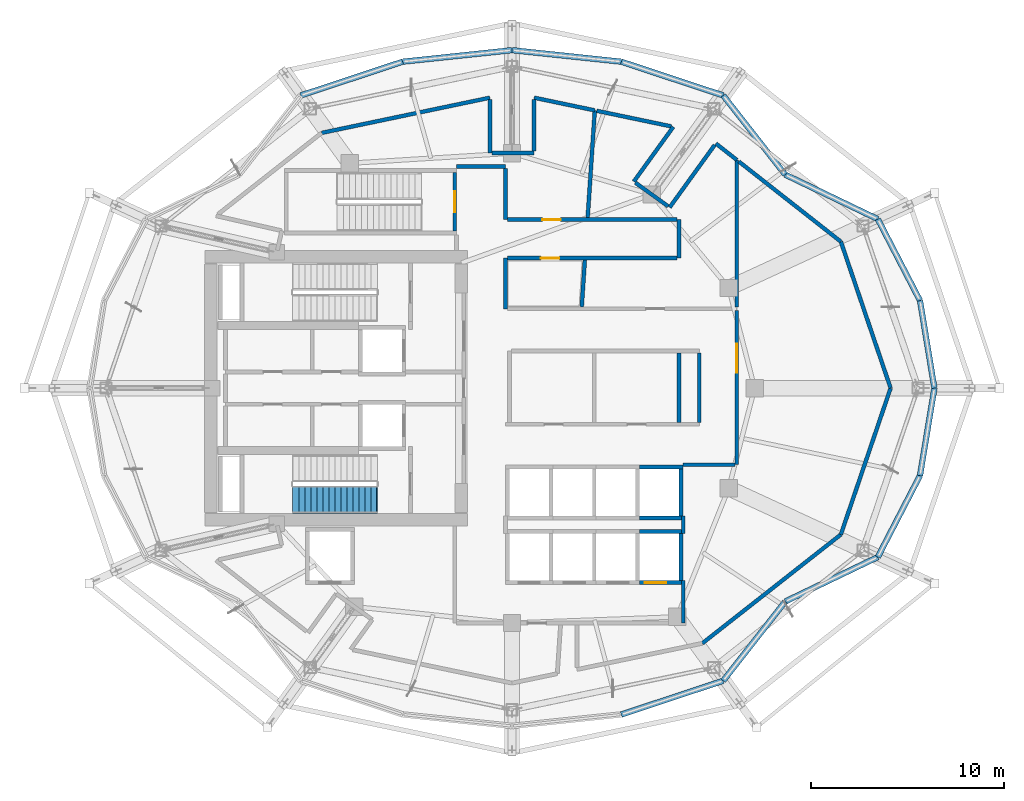
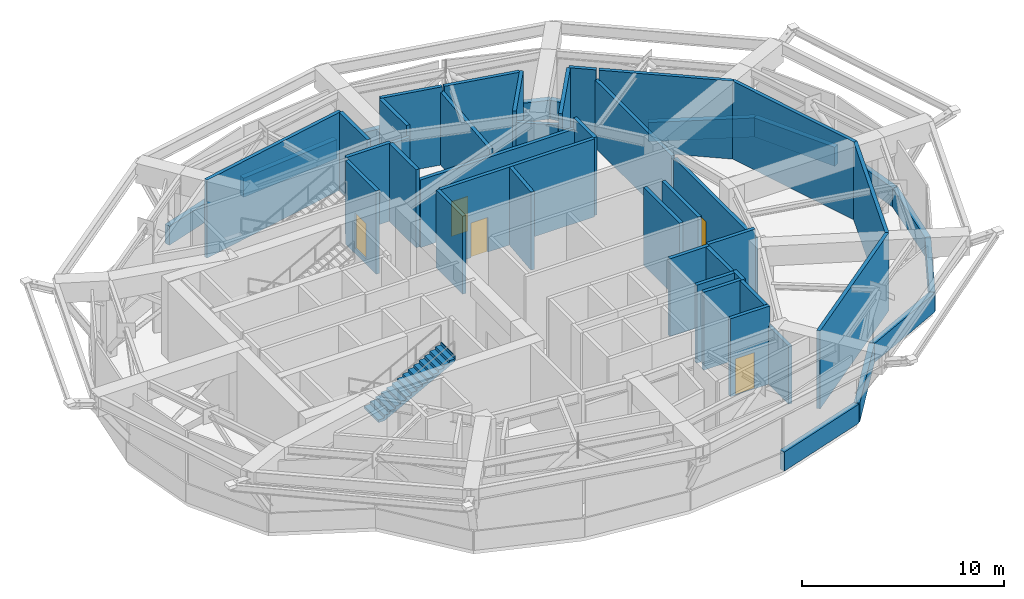
# One storey, part 10 of 13: 49 walls, 5 doors, 1 stair flight, 5 openings, 1 element without a shape of its own.
"""IFC4 building model written with IfcOpenShell, lengths in metres."""

import ifcopenshell
import ifcopenshell.guid

model = None  # the IFC model being written
_history = None  # IfcOwnerHistory: only IFC2X3 demands one
_inside = {}  # id of a spatial element -> (the spatial element, [elements in it])
_under = {}  # id of a project, library or spatial element -> (it, [spatial elements below it])
_declared = {}  # id of a project -> (the project, [libraries it declares])
_typed = {}  # id of a type object -> (the type object, [elements of that type])
_made_of = {}  # id of a material, layer set ... -> (it, [elements and type objects made of it])


def new_model(schema):
    """Start an empty IFC model of exactly this schema.

    Asked for "IFC4X3", IfcOpenShell would pick the latest addendum, in which some entities
    have other attributes; the version numbers below select the first issue.
    IFC2X3 requires an IfcOwnerHistory on every rooted entity: one is made here for all.
    """
    global model, _history
    if schema == "IFC4X3":
        model = ifcopenshell.file(schema_version=(4, 3, 0, 0))
    else:
        model = ifcopenshell.file(schema=schema)
    _inside.clear()
    _under.clear()
    _declared.clear()
    _typed.clear()
    _made_of.clear()
    _history = None
    if model.schema == "IFC2X3":
        org = make("IfcOrganization", Name="unknown")
        user = make(
            "IfcPersonAndOrganization",
            ThePerson=make("IfcPerson", FamilyName="unknown"),
            TheOrganization=org,
        )
        app = make(
            "IfcApplication",
            ApplicationDeveloper=org,
            Version="unknown",
            ApplicationFullName="unknown",
            ApplicationIdentifier="unknown",
        )
        _history = make(
            "IfcOwnerHistory",
            OwningUser=user,
            OwningApplication=app,
            ChangeAction="ADDED",
            CreationDate=0,
        )
    return model


def make(cls, **values):
    """One entity of the class cls with the attributes given. An attribute that is None is left unset."""
    return model.create_entity(
        cls, **{name: value for name, value in values.items() if value is not None}
    )


def rooted(cls, **values):
    """An entity with a GlobalId (a new one), such as an element, a storey or a relation."""
    return make(cls, GlobalId=ifcopenshell.guid.new(), OwnerHistory=_history, **values)


def si_unit(unit_type, name, prefix=None):
    """IfcSIUnit, for example si_unit("LENGTHUNIT", "METRE", prefix="MILLI")."""
    return make("IfcSIUnit", UnitType=unit_type, Prefix=prefix, Name=name)


def assignment(units):
    """IfcUnitAssignment: the units of a project."""
    return None if units is None else make("IfcUnitAssignment", Units=units)


def point(xyz):
    """IfcCartesianPoint."""
    return None if xyz is None else make("IfcCartesianPoint", Coordinates=xyz)


def direction(xyz):
    """IfcDirection."""
    return None if xyz is None else make("IfcDirection", DirectionRatios=xyz)


def frame(location, z_axis=None, x_axis=None):
    """IfcAxis2Placement3D, a coordinate frame: its origin and axes. An axis left out is left unset."""
    return make(
        "IfcAxis2Placement3D",
        Location=point(location),
        Axis=direction(z_axis),
        RefDirection=direction(x_axis),
    )


def frame_2d(location, x_axis=None):
    """IfcAxis2Placement2D, a coordinate frame in the plane: its origin and x axis."""
    return make(
        "IfcAxis2Placement2D", Location=point(location), RefDirection=direction(x_axis)
    )


def origin():
    """The frame at (0, 0, 0) with its axes left unset."""
    return frame((0.0, 0.0, 0.0))


def place(relative_to, where):
    """IfcLocalPlacement: puts the frame where relative to a parent placement (None: the world)."""
    return make(
        "IfcLocalPlacement", PlacementRelTo=relative_to, RelativePlacement=where
    )


def context(
    kind, dimensions, precision=None, world=None, true_north=None, identifier=None
):
    """IfcGeometricRepresentationContext, for example the 3D "Model" context."""
    return make(
        "IfcGeometricRepresentationContext",
        ContextIdentifier=identifier,
        ContextType=kind,
        CoordinateSpaceDimension=dimensions,
        Precision=precision,
        WorldCoordinateSystem=world,
        TrueNorth=true_north,
    )


def subcontext(parent, identifier, kind, view, scale=None):
    """IfcGeometricRepresentationSubContext, for example "Body" below "Model"."""
    return make(
        "IfcGeometricRepresentationSubContext",
        ContextIdentifier=identifier,
        ContextType=kind,
        ParentContext=parent,
        TargetScale=scale,
        TargetView=view,
    )


def project(units=None, contexts=None):
    """IfcProject with its units and contexts."""
    return rooted(
        "IfcProject",
        Name="project",
        RepresentationContexts=contexts,
        UnitsInContext=assignment(units),
    )


def spatial(cls, under=None, at=None, **own):
    """A site, building, storey or space (cls), placed at a placement, below another one or the project."""
    s = rooted(cls, ObjectPlacement=at, **own)
    if under is not None:
        _under.setdefault(under.id(), (under, []))[1].append(s)
    return s


def polyline(points):
    """IfcPolyline through the points."""
    return make("IfcPolyline", Points=[point(p) for p in points])


def profile(cls, at=None, kind="AREA", **sizes):
    """A parametric profile (cls). Its sizes go by their IFC names, for example OverallWidth=200.0."""
    return make(cls, ProfileType=kind, Position=at, **sizes)


def rectangle(**sizes):
    """IfcRectangleProfileDef."""
    return profile("IfcRectangleProfileDef", **sizes)


def outline(outer, holes=None, kind="AREA"):
    """IfcArbitraryClosedProfileDef: a profile drawn as a closed curve; with holes, ...WithVoids."""
    if holes is None:
        return make("IfcArbitraryClosedProfileDef", ProfileType=kind, OuterCurve=outer)
    return make(
        "IfcArbitraryProfileDefWithVoids",
        ProfileType=kind,
        OuterCurve=outer,
        InnerCurves=holes,
    )


def extrude(swept, where, along, depth):
    """IfcExtrudedAreaSolid: the profile swept, set in the frame where, extruded along a direction by depth."""
    return make(
        "IfcExtrudedAreaSolid",
        SweptArea=swept,
        Position=where,
        ExtrudedDirection=direction(along),
        Depth=depth,
    )


def shape(context_of_items, identifier, shape_type, items):
    """IfcShapeRepresentation: the items that make up one representation, for example the "Body"."""
    return make(
        "IfcShapeRepresentation",
        ContextOfItems=context_of_items,
        RepresentationIdentifier=identifier,
        RepresentationType=shape_type,
        Items=items,
    )


def material(Name=None, Category=None):
    """IfcMaterial."""
    return make("IfcMaterial", Name=Name, Category=Category)


def layer(
    of_material, thickness, ventilated=None, Name=None, Category=None, Priority=None
):
    """IfcMaterialLayer: one layer of a wall or slab, of a material (None: an air gap)."""
    return make(
        "IfcMaterialLayer",
        Material=of_material,
        LayerThickness=thickness,
        IsVentilated=ventilated,
        Name=Name,
        Category=Category,
        Priority=Priority,
    )


def layer_set(layers, Name=None):
    """IfcMaterialLayerSet."""
    return make("IfcMaterialLayerSet", MaterialLayers=layers, LayerSetName=Name)


def made_of(thing, what):
    """Note that an element or type object is made of a material, layer set ...; save() writes the relation."""
    if what is not None:
        _made_of.setdefault(what.id(), (what, []))[1].append(thing)
    return thing


def type_object(cls, material=None, **own):
    """A type object (cls), such as IfcWallType, which elements share."""
    return made_of(rooted(cls, **own), material)


def element(
    cls,
    number,
    at=None,
    inside=None,
    cuts=None,
    type_object=None,
    material=None,
    context=None,
    identifier="Body",
    shape_type=None,
    held_by="IfcProductDefinitionShape",
    body=None,
    shapes=None,
    **own,
):
    """One element of the class cls, such as IfcWall. Its Tag is "e" and its number.

    at: its placement. inside: the storey or other place that contains it. cuts: it is an
    opening in that element (IfcRelVoidsElement). A single representation is given by context,
    identifier, shape_type and body (its items); several are given by shapes. held_by: the class
    of the entity that holds the representations. save() writes the other relations.
    """
    e = rooted(cls, Tag="e%d" % number, ObjectPlacement=at, **own)
    if body is not None:
        shapes = [shape(context, identifier, shape_type, body)]
    if shapes is not None:
        e.Representation = make(held_by, Representations=shapes)
    if inside is not None:
        _inside.setdefault(inside.id(), (inside, []))[1].append(e)
    if cuts is not None:
        rooted(
            "IfcRelVoidsElement", RelatingBuildingElement=cuts, RelatedOpeningElement=e
        )
    if type_object is not None:
        _typed.setdefault(type_object.id(), (type_object, []))[1].append(e)
    return made_of(e, material)


def fill(opening, filler):
    """IfcRelFillsElement: the door or window that sits in an opening."""
    return rooted(
        "IfcRelFillsElement",
        RelatingOpeningElement=opening,
        RelatedBuildingElement=filler,
    )


def aggregate(whole, parts):
    """IfcRelAggregates: a whole, such as a stair, and the parts it consists of."""
    return rooted("IfcRelAggregates", RelatingObject=whole, RelatedObjects=parts)


def save(model, path):
    """Write the relations noted so far, then the file.

    IfcRelAggregates (storeys below a building ...), IfcRelContainedInSpatialStructure (elements
    in a storey), IfcRelDefinesByType, IfcRelAssociatesMaterial and IfcRelDeclares: one each for
    every whole, place, type object, material and project.
    """
    for whole, parts in _under.values():
        aggregate(whole, parts)
    for where, things in _inside.values():
        rooted(
            "IfcRelContainedInSpatialStructure",
            RelatedElements=things,
            RelatingStructure=where,
        )
    for kind, things in _typed.values():
        rooted("IfcRelDefinesByType", RelatedObjects=things, RelatingType=kind)
    for what, things in _made_of.values():
        rooted("IfcRelAssociatesMaterial", RelatedObjects=things, RelatingMaterial=what)
    for by, libraries in _declared.values():
        rooted("IfcRelDeclares", RelatingContext=by, RelatedDefinitions=libraries)
    model.write(path)


model = new_model("IFC4")

# Units and contexts
model_context = context("Model", 3, precision=1e-05, world=origin(), true_north=direction((0.0, 1.0)))
body_context = subcontext(model_context, "Body", "Model", "MODEL_VIEW")
ifc_project = project(units=[si_unit("LENGTHUNIT", "METRE"), si_unit("AREAUNIT", "SQUARE_METRE"), si_unit("VOLUMEUNIT", "CUBIC_METRE"), si_unit("PLANEANGLEUNIT", "RADIAN"), si_unit("MASSUNIT", "GRAM", prefix="KILO")], contexts=[model_context])

# Site, building, storey
site_placement = place(None, origin())
site = spatial("IfcSite", under=ifc_project, at=site_placement, CompositionType="ELEMENT")
building_placement = place(site_placement, origin())
building = spatial("IfcBuilding", under=site, at=building_placement, Name="Kolvaren Gate Tower and Convention Centre", CompositionType="ELEMENT")
storey_placement = place(building_placement, frame((0.0, 0.0, 186.89990234375)))
storey = spatial("IfcBuildingStorey", under=building, at=storey_placement, Name="L49", CompositionType="ELEMENT", Elevation=186.89990234375)

# Wall
ifc_material_1 = material(Name="Autoclaved Aerated Masonry Blockwork Class 4 (4.0 MPa)", Category="masonry")
ifc_layer_1 = layer(ifc_material_1, 0.199951171875)
ifc_layer_set_1 = layer_set([ifc_layer_1], Name="Autoclaved Aerated Masonry Blockwork Class 4 (4.0 MPa)")
wall_type_1 = type_object("IfcWallType", Name="ARCH-WL-SHAFT-200", PredefinedType="SOLIDWALL", material=ifc_layer_set_1)
wall_1_placement = place(storey_placement, frame((36.75, 19.550048828125, 0.0), z_axis=(0.0, 0.0, 1.0), x_axis=(1.0, 0.0, 0.0)))
element("IfcWall", 1, at=wall_1_placement, inside=storey, type_object=wall_type_1, Name="Elevator PL-08 L49 Fire Shaft Wall N", PredefinedType="SOLIDWALL", context=body_context, shape_type="SweptSolid", body=[
    extrude(rectangle(XDim=2.25, YDim=0.199951171875, at=frame_2d((1.125, 0.0))), origin(), (0.0, 0.0, 1.0), 4.72021484375),
])

# Wall, opening, door
wall_2_placement = place(storey_placement, frame((36.75, 16.89990234375, 0.0), z_axis=(0.0, 0.0, 1.0), x_axis=(1.0, 0.0, 0.0)))
wall_2 = element("IfcWall", 2, at=wall_2_placement, inside=storey, type_object=wall_type_1, Name="Elevator PL-08 L49 Fire Shaft Wall S", PredefinedType="SOLIDWALL", context=body_context, shape_type="SweptSolid", body=[
    extrude(rectangle(XDim=2.25, YDim=0.199951171875, at=frame_2d((1.125, 0.0))), origin(), (0.0, 0.0, 1.0), 4.72021484375),
])
opening_1_placement = place(wall_2_placement, frame((0.280029296875, 0.0, 0.0)))
opening_1 = element("IfcOpeningElement", 3, at=opening_1_placement, cuts=wall_2, Name="Opening LD", PredefinedType="OPENING", context=body_context, shape_type="SweptSolid", body=[
    extrude(rectangle(XDim=1.10009765625, YDim=2.199951171875, at=frame_2d((0.550048828125, 1.10009765625))), frame((0.0, 0.10986328125, 0.0), z_axis=(0.0, -1.0, 0.0), x_axis=(1.0, 0.0, 0.0)), (0.0, 0.0, 1.0), 0.219970703125),
])
ifc_material_2 = material(Name="Brushed Stainless Steel Grade 316L", Category="steel")
door_type_1 = type_object("IfcDoorType", Name="ARCH-DR-LIFT-1100", OperationType="SLIDING_TO_LEFT", PredefinedType="DOOR", material=ifc_material_2)
door_1_placement = place(opening_1_placement, origin())
door_1 = element("IfcDoor", 4, at=door_1_placement, inside=storey, type_object=door_type_1, Name="Elevator PL-08 L49 Sliding Landing Door", OperationType="SLIDING_TO_LEFT", OverallHeight=2.199951171875, OverallWidth=1.10009765625, PredefinedType="DOOR", context=body_context, shape_type="SweptSolid", body=[
    extrude(rectangle(XDim=1.10009765625, YDim=2.199951171875, at=frame_2d((0.550048828125, 1.10009765625))), frame((0.0, 0.02490234375, 0.0), z_axis=(0.0, -1.0, 0.0), x_axis=(1.0, 0.0, 0.0)), (0.0, 0.0, 1.0), 0.050048828125),
])
fill(opening_1, door_1)

# Walls
wall_3_placement = place(storey_placement, frame((38.89990234375, 17.010009765625, 0.0), z_axis=(0.0, 0.0, 1.0), x_axis=(0.0, 1.0, 0.0)))
element("IfcWall", 5, at=wall_3_placement, inside=storey, type_object=wall_type_1, Name="Elevator PL-08 L49 Fire Shaft Wall E", PredefinedType="SOLIDWALL", context=body_context, shape_type="SweptSolid", body=[
    extrude(rectangle(XDim=2.429931640625, YDim=0.199951171875, at=frame_2d((1.21484375, 0.0))), origin(), (0.0, 0.0, 1.0), 4.72021484375),
])
for number, where, z_axis, x_axis, name in (
    (6, (36.75, 22.89990234375, 0.0), (0.0, 0.0, 1.0), (1.0, 0.0, 0.0), "Elevator PL-12 L49 Fire Shaft Wall N"),
    (7, (36.75, 20.25, 0.0), (0.0, 0.0, 1.0), (1.0, 0.0, 0.0), "Elevator PL-12 L49 Fire Shaft Wall S"),
):
    element("IfcWall", number, at=place(storey_placement, frame(where, z_axis=z_axis, x_axis=x_axis)), inside=storey, type_object=wall_type_1, Name=name, PredefinedType="SOLIDWALL", context=body_context, shape_type="SweptSolid", body=[
        extrude(rectangle(XDim=2.25, YDim=0.199951171875, at=frame_2d((1.125, 0.0))), origin(), (0.0, 0.0, 1.0), 4.72021484375),
    ])
wall_4_placement = place(storey_placement, frame((38.89990234375, 20.360107421875, 0.0), z_axis=(0.0, 0.0, 1.0), x_axis=(0.0, 1.0, 0.0)))
element("IfcWall", 8, at=wall_4_placement, inside=storey, type_object=wall_type_1, Name="Elevator PL-12 L49 Fire Shaft Wall E", PredefinedType="SOLIDWALL", context=body_context, shape_type="SweptSolid", body=[
    extrude(rectangle(XDim=2.429931640625, YDim=0.199951171875, at=frame_2d((1.21484375, 0.0))), origin(), (0.0, 0.0, 1.0), 4.72021484375),
])
wall_5_placement = place(storey_placement, frame((38.800048828125, 25.221923828125, 0.0), z_axis=(0.0, 0.0, 1.0), x_axis=(0.0, 1.0, 0.0)))
element("IfcWall", 9, at=wall_5_placement, inside=storey, type_object=wall_type_1, Name="Interior Partition WL-L49-INT-013", PredefinedType="SOLIDWALL", context=body_context, shape_type="SweptSolid", body=[
    extrude(rectangle(XDim=3.59619140625, YDim=0.199951171875, at=frame_2d((1.798095703125, 0.0))), origin(), (0.0, 0.0, 1.0), 4.72021484375),
])
wall_6_placement = place(storey_placement, frame((38.800048828125, 33.75, 0.0), z_axis=(0.0, 0.0, 1.0), x_axis=(0.0, 1.0, 0.0)))
element("IfcWall", 10, at=wall_6_placement, inside=storey, type_object=wall_type_1, Name="Interior Partition WL-L49-INT-014", PredefinedType="SOLIDWALL", context=body_context, shape_type="SweptSolid", body=[
    extrude(rectangle(XDim=2.0, YDim=0.199951171875, at=frame_2d((1.0, 0.0))), origin(), (0.0, 0.0, 1.0), 4.72021484375),
])
wall_7_placement = place(storey_placement, frame((27.25, 38.5, 0.0), z_axis=(0.0, 0.0, 1.0), x_axis=(1.0, 0.0, 0.0)))
element("IfcWall", 11, at=wall_7_placement, inside=storey, type_object=wall_type_1, Name="Interior Partition WL-L49-INT-017", PredefinedType="SOLIDWALL", context=body_context, shape_type="SweptSolid", body=[
    extrude(rectangle(XDim=2.530029296875, YDim=0.199951171875, at=frame_2d((1.26513671875, 0.0))), origin(), (0.0, 0.0, 1.0), 4.72021484375),
])
wall_8_placement = place(storey_placement, frame((29.780029296875, 31.1201171875, 0.0), z_axis=(0.0, 0.0, 1.0), x_axis=(0.0, 1.0, 0.0)))
element("IfcWall", 12, at=wall_8_placement, inside=storey, type_object=wall_type_1, Name="Interior Partition WL-L49-INT-019", PredefinedType="SOLIDWALL", context=body_context, shape_type="SweptSolid", body=[
    extrude(rectangle(XDim=2.6298828125, YDim=0.199951171875, at=frame_2d((1.31494140625, 0.0))), origin(), (0.0, 0.0, 1.0), 4.72021484375),
])
wall_9_placement = place(storey_placement, frame((29.780029296875, 35.75, 0.0), z_axis=(0.0, 0.0, 1.0), x_axis=(0.0, 1.0, 0.0)))
element("IfcWall", 13, at=wall_9_placement, inside=storey, type_object=wall_type_1, Name="Interior Partition WL-L49-INT-020", PredefinedType="SOLIDWALL", context=body_context, shape_type="SweptSolid", body=[
    extrude(rectangle(XDim=2.64794921875, YDim=0.199951171875, at=frame_2d((1.323974609375, 0.0))), origin(), (0.0, 0.0, 1.0), 4.72021484375),
])

# Wall, opening, door
wall_10_placement = place(storey_placement, frame((29.882080078125, 35.75, 0.0), z_axis=(0.0, 0.0, 1.0), x_axis=(1.0, 0.0, 0.0)))
wall_10 = element("IfcWall", 14, at=wall_10_placement, inside=storey, type_object=wall_type_1, Name="Interior Partition WL-L49-INT-021", PredefinedType="SOLIDWALL", context=body_context, shape_type="SweptSolid", body=[
    extrude(rectangle(XDim=8.81591796875, YDim=0.199951171875, at=frame_2d((4.407958984375, 0.0))), origin(), (0.0, 0.0, 1.0), 4.09521484375),
])
opening_2_placement = place(wall_10_placement, frame((1.814208984375, 0.0, 0.0)))
opening_2 = element("IfcOpeningElement", 15, at=opening_2_placement, cuts=wall_10, Name="Opening DR-01", PredefinedType="OPENING", context=body_context, shape_type="SweptSolid", body=[
    extrude(rectangle(XDim=0.949951171875, YDim=2.10009765625, at=frame_2d((0.47509765625, 1.050048828125))), frame((0.0, 0.10986328125, 0.0), z_axis=(0.0, -1.0, 0.0), x_axis=(1.0, 0.0, 0.0)), (0.0, 0.0, 1.0), 0.219970703125),
])
ifc_material_3 = material(Name="Painted Architectural Steelwork ASTM A500 Grade C 345 MPa", Category="steel")
door_type_2 = type_object("IfcDoorType", Name="ARCH-DR-RISER-950", OperationType="SINGLE_SWING_RIGHT", PredefinedType="DOOR", material=ifc_material_3)
door_2_placement = place(opening_2_placement, origin())
door_2 = element("IfcDoor", 16, at=door_2_placement, inside=storey, type_object=door_type_2, Name="Smoke-Control Fan and Damper Plant Room Door", OperationType="SINGLE_SWING_RIGHT", OverallHeight=2.10009765625, OverallWidth=0.949951171875, PredefinedType="DOOR", context=body_context, shape_type="SweptSolid", body=[
    extrude(rectangle(XDim=0.949951171875, YDim=2.10009765625, at=frame_2d((0.47509765625, 1.050048828125))), frame((0.0, 0.02490234375, 0.0), z_axis=(0.0, -1.0, 0.0), x_axis=(1.0, 0.0, 0.0)), (0.0, 0.0, 1.0), 0.050048828125),
])
fill(opening_2, door_2)

wall_11_placement = place(storey_placement, frame((29.882080078125, 33.75, 0.0), z_axis=(0.0, 0.0, 1.0), x_axis=(1.0, 0.0, 0.0)))
wall_11 = element("IfcWall", 17, at=wall_11_placement, inside=storey, type_object=wall_type_1, Name="Interior Partition WL-L49-INT-022", PredefinedType="SOLIDWALL", context=body_context, shape_type="SweptSolid", body=[
    extrude(rectangle(XDim=8.81591796875, YDim=0.199951171875, at=frame_2d((4.407958984375, 0.0))), origin(), (0.0, 0.0, 1.0), 4.72021484375),
])
opening_3_placement = place(wall_11_placement, frame((1.747802734375, 0.0, 0.0)))
opening_3 = element("IfcOpeningElement", 18, at=opening_3_placement, cuts=wall_11, Name="Opening DR-01", PredefinedType="OPENING", context=body_context, shape_type="SweptSolid", body=[
    extrude(rectangle(XDim=0.949951171875, YDim=2.10009765625, at=frame_2d((0.47509765625, 1.050048828125))), frame((0.0, 0.10986328125, 0.0), z_axis=(0.0, -1.0, 0.0), x_axis=(1.0, 0.0, 0.0)), (0.0, 0.0, 1.0), 0.219970703125),
])
door_3_placement = place(opening_3_placement, origin())
door_3 = element("IfcDoor", 19, at=door_3_placement, inside=storey, type_object=door_type_2, Name="Zone Domestic and Hydronic Booster Pump Plant Door", OperationType="SINGLE_SWING_RIGHT", OverallHeight=2.10009765625, OverallWidth=0.949951171875, PredefinedType="DOOR", context=body_context, shape_type="SweptSolid", body=[
    extrude(rectangle(XDim=0.949951171875, YDim=2.10009765625, at=frame_2d((0.47509765625, 1.050048828125))), frame((0.0, 0.02490234375, 0.0), z_axis=(0.0, -1.0, 0.0), x_axis=(1.0, 0.0, 0.0)), (0.0, 0.0, 1.0), 0.050048828125),
])
fill(opening_3, door_3)

wall_12_placement = place(storey_placement, frame((41.800048828125, 23.02001953125, 0.0), z_axis=(0.0, 0.0, 1.0), x_axis=(0.0, 1.0, 0.0)))
wall_12 = element("IfcWall", 20, at=wall_12_placement, inside=storey, type_object=wall_type_1, Name="Interior Partition WL-L49-INT-024", PredefinedType="SOLIDWALL", context=body_context, shape_type="SweptSolid", body=[
    extrude(rectangle(XDim=7.998046875, YDim=0.199951171875, at=frame_2d((3.9990234375, 0.0))), origin(), (0.0, 0.0, 1.0), 4.09521484375),
])
opening_4_placement = place(wall_12_placement, frame((4.7890625, 0.0, 0.0)))
opening_4 = element("IfcOpeningElement", 21, at=opening_4_placement, cuts=wall_12, Name="Opening DL-01", PredefinedType="OPENING", context=body_context, shape_type="SweptSolid", body=[
    extrude(rectangle(XDim=1.5, YDim=2.199951171875, at=frame_2d((0.75, 1.10009765625))), frame((0.0, 0.10986328125, 0.0), z_axis=(0.0, -1.0, 0.0), x_axis=(1.0, 0.0, 0.0)), (0.0, 0.0, 1.0), 0.219970703125),
])
door_type_3 = type_object("IfcDoorType", Name="ARCH-DR-LOBBY-1500", OperationType="DOUBLE_DOOR_SINGLE_SWING", PredefinedType="DOOR", material=ifc_material_3)
door_4_placement = place(opening_4_placement, origin())
door_4 = element("IfcDoor", 22, at=door_4_placement, inside=storey, type_object=door_type_3, Name="Pressurized Area of Refuge L49 Door", OperationType="DOUBLE_DOOR_SINGLE_SWING", OverallHeight=2.199951171875, OverallWidth=1.5, PredefinedType="DOOR", context=body_context, shape_type="SweptSolid", body=[
    extrude(rectangle(XDim=1.5, YDim=2.199951171875, at=frame_2d((0.75, 1.10009765625))), frame((0.0, 0.02490234375, 0.0), z_axis=(0.0, -1.0, 0.0), x_axis=(1.0, 0.0, 0.0)), (0.0, 0.0, 1.0), 0.050048828125),
])
fill(opening_4, door_4)

# Walls
wall_13_placement = place(storey_placement, frame((41.800048828125, 31.221923828125, 0.0), z_axis=(0.0, 0.0, 1.0), x_axis=(0.0, 1.0, 0.0)))
element("IfcWall", 23, at=wall_13_placement, inside=storey, type_object=wall_type_1, Name="Interior Partition WL-L49-INT-024 (2)", PredefinedType="SOLIDWALL", context=body_context, shape_type="SweptSolid", body=[
    extrude(rectangle(XDim=7.6259765625, YDim=0.199951171875, at=frame_2d((3.81298828125, 0.0))), origin(), (0.0, 0.0, 1.0), 4.09521484375),
])
wall_14_placement = place(storey_placement, frame((39.0, 23.02001953125, 0.0), z_axis=(0.0, 0.0, 1.0), x_axis=(1.0, 0.0, 0.0)))
element("IfcWall", 24, at=wall_14_placement, inside=storey, type_object=wall_type_1, Name="Interior Partition WL-L49-INT-025", PredefinedType="SOLIDWALL", context=body_context, shape_type="SweptSolid", body=[
    extrude(rectangle(XDim=2.697998046875, YDim=0.199951171875, at=frame_2d((1.34912109375, 0.0))), origin(), (0.0, 0.0, 1.0), 4.72021484375),
])
wall_15_placement = place(storey_placement, frame((39.02001953125, 14.800048828125, 0.0), z_axis=(0.0, 0.0, 1.0), x_axis=(0.0, 1.0, 0.0)))
element("IfcWall", 25, at=wall_15_placement, inside=storey, type_object=wall_type_1, Name="Interior Partition WL-L49-INT-026", PredefinedType="SOLIDWALL", context=body_context, shape_type="SweptSolid", body=[
    extrude(rectangle(XDim=2.2099609375, YDim=0.199951171875, at=frame_2d((1.10498046875, 0.0))), origin(), (0.0, 0.0, 1.0), 3.5126953125),
])
wall_16_placement = place(storey_placement, frame((39.02001953125, 19.43994140625, 0.0), z_axis=(0.0, 0.0, 1.0), x_axis=(0.0, 1.0, 0.0)))
element("IfcWall", 26, at=wall_16_placement, inside=storey, type_object=wall_type_1, Name="Interior Partition WL-L49-INT-026 (2)", PredefinedType="SOLIDWALL", context=body_context, shape_type="SweptSolid", body=[
    extrude(rectangle(XDim=0.920166015625, YDim=0.199951171875, at=frame_2d((0.4599609375, 0.0))), origin(), (0.0, 0.0, 1.0), 4.72021484375),
])
wall_17_placement = place(storey_placement, frame((39.85009765625, 25.221923828125, 0.0), z_axis=(0.0, 0.0, 1.0), x_axis=(0.0, 1.0, 0.0)))
element("IfcWall", 27, at=wall_17_placement, inside=storey, type_object=wall_type_1, Name="Interior Partition WL-L49-INT-028", PredefinedType="SOLIDWALL", context=body_context, shape_type="SweptSolid", body=[
    extrude(rectangle(XDim=3.59619140625, YDim=0.199951171875, at=frame_2d((1.798095703125, 0.0))), origin(), (0.0, 0.0, 1.0), 4.72021484375),
])
wall_18_placement = place(storey_placement, frame((40.711181640625, 39.703125, 0.0), z_axis=(0.0, 0.0, 1.0), x_axis=(0.78642846258, -0.617681368704, 0.0)))
element("IfcWall", 28, at=wall_18_placement, inside=storey, type_object=wall_type_1, Name="Interior Partition WL-L49-INT-029", PredefinedType="SOLIDWALL", context=body_context, shape_type="SweptSolid", body=[
    extrude(rectangle(XDim=1.384521484375, YDim=0.199951171875, at=frame_2d((0.6923828125, 0.0))), origin(), (0.0, 0.0, 1.0), 4.72021484375),
])
wall_19_placement = place(storey_placement, frame((41.902099609375, 38.767822265625, 0.0), z_axis=(0.0, 0.0, 1.0), x_axis=(0.786466634861, -0.617632764877, 0.0)))
element("IfcWall", 29, at=wall_19_placement, inside=storey, type_object=wall_type_1, Name="Interior Partition WL-L49-INT-029 (2)", PredefinedType="SOLIDWALL", context=body_context, shape_type="SweptSolid", body=[
    extrude(rectangle(XDim=6.739990234375, YDim=0.199951171875, at=frame_2d((3.3701171875, 0.0))), origin(), (0.0, 0.0, 1.0), 4.72021484375),
])
for number, where, z_axis, x_axis, name in (
    (30, (47.202880859375, 34.60498046875, 0.0), (0.0, 0.0, 1.0), (0.321739251715, -0.946828312793, 0.0), "Interior Partition WL-L49-INT-030"),
    (31, (47.202880859375, 19.39501953125, 0.0), (0.0, 0.0, 1.0), (0.321739251715, 0.946828312793, 0.0), "Interior Partition WL-L49-INT-031"),
):
    element("IfcWall", number, at=place(storey_placement, frame(where, z_axis=z_axis, x_axis=x_axis)), inside=storey, type_object=wall_type_1, Name=name, PredefinedType="SOLIDWALL", context=body_context, shape_type="SweptSolid", body=[
        extrude(rectangle(XDim=8.031982421875, YDim=0.199951171875, at=frame_2d((4.01611328125, 0.0))), origin(), (0.0, 0.0, 1.0), 4.72021484375),
    ])
wall_20_placement = place(storey_placement, frame((40.010986328125, 13.7470703125, 0.0), z_axis=(0.0, 0.0, 1.0), x_axis=(0.786468396878, 0.617630521195, 0.0)))
element("IfcWall", 32, at=wall_20_placement, inside=storey, type_object=wall_type_1, Name="Interior Partition WL-L49-INT-032", PredefinedType="SOLIDWALL", context=body_context, shape_type="SweptSolid", body=[
    extrude(rectangle(XDim=9.14453125, YDim=0.199951171875, at=frame_2d((4.572265625, 0.0))), origin(), (0.0, 0.0, 1.0), 4.72021484375),
])
wall_21_placement = place(storey_placement, frame((38.3115234375, 36.3837890625, 0.0), z_axis=(0.0, 0.0, 1.0), x_axis=(0.585099922998, 0.810961207523, 0.0)))
element("IfcWall", 33, at=wall_21_placement, inside=storey, type_object=wall_type_1, Name="Interior Partition WL-L49-INT-037", PredefinedType="SOLIDWALL", context=body_context, shape_type="SweptSolid", body=[
    extrude(rectangle(XDim=3.994140625, YDim=0.199951171875, at=frame_2d((1.9970703125, 0.0))), origin(), (0.0, 0.0, 1.0), 4.72021484375),
])
wall_22_placement = place(storey_placement, frame((36.451171875, 37.726318359375, 0.0), z_axis=(0.0, 0.0, 1.0), x_axis=(0.585304799542, 0.810813351908, 0.0)))
element("IfcWall", 34, at=wall_22_placement, inside=storey, type_object=wall_type_1, Name="Interior Partition WL-L49-INT-040", PredefinedType="SOLIDWALL", context=body_context, shape_type="SweptSolid", body=[
    extrude(rectangle(XDim=3.50341796875, YDim=0.199951171875, at=frame_2d((1.751708984375, 0.0))), origin(), (0.0, 0.0, 1.0), 4.72021484375),
])
wall_23_placement = place(storey_placement, frame((33.74609375, 31.221923828125, 0.0), z_axis=(0.0, 0.0, 1.0), x_axis=(0.066472359128, 0.997788266854, 0.0)))
element("IfcWall", 35, at=wall_23_placement, inside=storey, type_object=wall_type_1, Name="Interior Partition WL-L49-INT-045", PredefinedType="SOLIDWALL", context=body_context, shape_type="SweptSolid", body=[
    extrude(rectangle(XDim=2.431396484375, YDim=0.199951171875, at=frame_2d((1.2158203125, 0.0))), origin(), (0.0, 0.0, 1.0), 4.72021484375),
])
wall_24_placement = place(storey_placement, frame((34.054443359375, 35.85205078125, 0.0), z_axis=(0.0, 0.0, 1.0), x_axis=(0.066399978294, 0.997793086207, 0.0)))
element("IfcWall", 36, at=wall_24_placement, inside=storey, type_object=wall_type_1, Name="Interior Partition WL-L49-INT-046", PredefinedType="SOLIDWALL", context=body_context, shape_type="SweptSolid", body=[
    extrude(rectangle(XDim=5.581298828125, YDim=0.199951171875, at=frame_2d((2.79052734375, 0.0))), origin(), (0.0, 0.0, 1.0), 4.402099609375),
])
wall_25_placement = place(storey_placement, frame((31.275146484375, 42.080810546875, 0.0), z_axis=(0.0, 0.0, 1.0), x_axis=(0.978789564925, -0.204868220071, 0.0)))
element("IfcWall", 37, at=wall_25_placement, inside=storey, type_object=wall_type_1, Name="Interior Partition WL-L49-INT-048", PredefinedType="SOLIDWALL", context=body_context, shape_type="SweptSolid", body=[
    extrude(rectangle(XDim=3.22119140625, YDim=0.199951171875, at=frame_2d((1.610595703125, 0.0))), origin(), (0.0, 0.0, 1.0), 4.72021484375),
])
wall_26_placement = place(storey_placement, frame((34.52587890625, 41.400390625, 0.0), z_axis=(0.0, 0.0, 1.0), x_axis=(0.978797539927, -0.204830114567, 0.0)))
element("IfcWall", 38, at=wall_26_placement, inside=storey, type_object=wall_type_1, Name="Interior Partition WL-L49-INT-048 (2)", PredefinedType="SOLIDWALL", context=body_context, shape_type="SweptSolid", body=[
    extrude(rectangle(XDim=3.951171875, YDim=0.199951171875, at=frame_2d((1.9755859375, 0.0))), origin(), (0.0, 0.0, 1.0), 4.72021484375),
])
wall_27_placement = place(storey_placement, frame((36.533935546875, 37.666748046875, 0.0), z_axis=(0.0, 0.0, 1.0), x_axis=(0.810882468436, -0.585209041611, 0.0)))
element("IfcWall", 39, at=wall_27_placement, inside=storey, type_object=wall_type_1, Name="Interior Partition WL-L49-INT-049", PredefinedType="SOLIDWALL", context=body_context, shape_type="SweptSolid", body=[
    extrude(rectangle(XDim=2.090087890625, YDim=0.199951171875, at=frame_2d((1.044921875, 0.0))), origin(), (0.0, 0.0, 1.0), 4.09521484375),
])
wall_28_placement = place(storey_placement, frame((20.239013671875, 40.2529296875, 0.0), z_axis=(0.0, 0.0, 1.0), x_axis=(0.97882059117, 0.204719931373, 0.0)))
element("IfcWall", 40, at=wall_28_placement, inside=storey, type_object=wall_type_1, Name="Interior Partition WL-L49-INT-053", PredefinedType="SOLIDWALL", context=body_context, shape_type="SweptSolid", body=[
    extrude(rectangle(XDim=8.925048828125, YDim=0.199951171875, at=frame_2d((4.46240234375, 0.0))), origin(), (0.0, 0.0, 1.0), 4.72021484375),
])
wall_29_placement = place(storey_placement, frame((28.97509765625, 39.199951171875, 0.0), z_axis=(0.0, 0.0, 1.0), x_axis=(0.0, 1.0, 0.0)))
element("IfcWall", 41, at=wall_29_placement, inside=storey, type_object=wall_type_1, Name="Interior Partition WL-L49-INT-054", PredefinedType="SOLIDWALL", context=body_context, shape_type="SweptSolid", body=[
    extrude(rectangle(XDim=2.77587890625, YDim=0.199951171875, at=frame_2d((1.387939453125, 0.0))), origin(), (0.0, 0.0, 1.0), 4.72021484375),
])
wall_30_placement = place(storey_placement, frame((29.076904296875, 39.199951171875, 0.0), z_axis=(0.0, 0.0, 1.0), x_axis=(1.0, 0.0, 0.0)))
element("IfcWall", 42, at=wall_30_placement, inside=storey, type_object=wall_type_1, Name="Interior Partition WL-L49-INT-055", PredefinedType="SOLIDWALL", context=body_context, shape_type="SweptSolid", body=[
    extrude(rectangle(XDim=2.197998046875, YDim=0.199951171875, at=frame_2d((1.09912109375, 0.0))), origin(), (0.0, 0.0, 1.0), 4.09521484375),
])
wall_31_placement = place(storey_placement, frame((31.27490234375, 39.302001953125, 0.0), z_axis=(0.0, 0.0, 1.0), x_axis=(0.0, 1.0, 0.0)))
element("IfcWall", 43, at=wall_31_placement, inside=storey, type_object=wall_type_1, Name="Interior Partition WL-L49-INT-056", PredefinedType="SOLIDWALL", context=body_context, shape_type="SweptSolid", body=[
    extrude(rectangle(XDim=2.674560546875, YDim=0.199951171875, at=frame_2d((1.33740234375, 0.0))), origin(), (0.0, 0.0, 1.0), 4.72021484375),
])
ifc_material_4 = material(Name="Piedmont Cream Honed Limestone Cladding", Category="masonry")
ifc_layer_2 = layer(ifc_material_4, 0.300048828125)
ifc_layer_set_2 = layer_set([ifc_layer_2], Name="Piedmont Cream Honed Limestone Cladding")
wall_type_2 = type_object("IfcWallType", Name="ARCH-WL-STONE-300", PredefinedType="SOLIDWALL", material=ifc_layer_set_2)
wall_32_placement = place(storey_placement, frame((51.31494140625, 31.542236328125, 0.0), z_axis=(0.0, 0.0, 1.0), x_axis=(0.162394765401, -0.986725868806, 0.0)))
element("IfcWall", 44, at=wall_32_placement, inside=storey, type_object=wall_type_2, Name="Plant Floor L49 Stone Sill Wall EW-00", PredefinedType="SOLIDWALL", context=body_context, shape_type="SweptSolid", body=[
    extrude(rectangle(XDim=4.603271484375, YDim=0.300048828125, at=frame_2d((2.3017578125, 0.0))), origin(), (0.0, 0.0, 1.0), 1.150146484375),
])
wall_33_placement = place(storey_placement, frame((49.123291015625, 35.77490234375, 0.0), z_axis=(0.0, 0.0, 1.0), x_axis=(0.459810251451, -0.888017191647, 0.0)))
element("IfcWall", 45, at=wall_33_placement, inside=storey, type_object=wall_type_2, Name="Plant Floor L49 Stone Sill Wall EW-01", PredefinedType="SOLIDWALL", context=body_context, shape_type="SweptSolid", body=[
    extrude(rectangle(XDim=4.766357421875, YDim=0.300048828125, at=frame_2d((2.38330078125, 0.0))), origin(), (0.0, 0.0, 1.0), 1.150146484375),
])
wall_34_placement = place(storey_placement, frame((44.3134765625, 38.0859375, 0.0), z_axis=(0.0, 0.0, 1.0), x_axis=(0.901353070301, -0.433085029363, 0.0)))
element("IfcWall", 46, at=wall_34_placement, inside=storey, type_object=wall_type_2, Name="Plant Floor L49 Stone Sill Wall EW-02", PredefinedType="SOLIDWALL", context=body_context, shape_type="SweptSolid", body=[
    extrude(rectangle(XDim=5.336181640625, YDim=0.300048828125, at=frame_2d((2.66796875, 0.0))), origin(), (0.0, 0.0, 1.0), 1.150146484375),
])
wall_35_placement = place(storey_placement, frame((41.09375, 42.19873046875, 0.0), z_axis=(0.0, 0.0, 1.0), x_axis=(0.616429245738, -0.787410302828, 0.0)))
element("IfcWall", 47, at=wall_35_placement, inside=storey, type_object=wall_type_2, Name="Plant Floor L49 Stone Sill Wall EW-03", PredefinedType="SOLIDWALL", context=body_context, shape_type="SweptSolid", body=[
    extrude(rectangle(XDim=5.22314453125, YDim=0.300048828125, at=frame_2d((2.611572265625, 0.0))), origin(), (0.0, 0.0, 1.0), 1.150146484375),
])
wall_36_placement = place(storey_placement, frame((35.802734375, 43.951904296875, 0.0), z_axis=(0.0, 0.0, 1.0), x_axis=(0.949246811547, -0.314532177636, 0.0)))
element("IfcWall", 48, at=wall_36_placement, inside=storey, type_object=wall_type_2, Name="Plant Floor L49 Stone Sill Wall EW-04", PredefinedType="SOLIDWALL", context=body_context, shape_type="SweptSolid", body=[
    extrude(rectangle(XDim=5.573974609375, YDim=0.300048828125, at=frame_2d((2.787109375, 0.0))), origin(), (0.0, 0.0, 1.0), 1.150146484375),
])
for number, where, z_axis, x_axis, name in (
    (49, (30.125, 44.550048828125, 0.0), (0.0, 0.0, 1.0), (0.994496545245, -0.104769372887, 0.0), "Plant Floor L49 Stone Sill Wall EW-05"),
    (50, (24.447265625, 43.951904296875, 0.0), (0.0, 0.0, 1.0), (0.994496545245, 0.104769372887, 0.0), "Plant Floor L49 Stone Sill Wall EW-06"),
):
    element("IfcWall", number, at=place(storey_placement, frame(where, z_axis=z_axis, x_axis=x_axis)), inside=storey, type_object=wall_type_2, Name=name, PredefinedType="SOLIDWALL", context=body_context, shape_type="SweptSolid", body=[
        extrude(rectangle(XDim=5.709228515625, YDim=0.300048828125, at=frame_2d((2.8544921875, 0.0))), origin(), (0.0, 0.0, 1.0), 1.150146484375),
    ])
for number, where, z_axis, x_axis, name in (
    (51, (19.15625, 42.19873046875, 0.0), (0.0, 0.0, 1.0), (0.949246811547, 0.314532177636, 0.0), "Plant Floor L49 Stone Sill Wall EW-07"),
    (52, (35.802734375, 10.048095703125, 0.0), (0.0, 0.0, 1.0), (0.949246811547, 0.314532177636, 0.0), "Plant Floor L49 Stone Sill Wall EW-19"),
):
    element("IfcWall", number, at=place(storey_placement, frame(where, z_axis=z_axis, x_axis=x_axis)), inside=storey, type_object=wall_type_2, Name=name, PredefinedType="SOLIDWALL", context=body_context, shape_type="SweptSolid", body=[
        extrude(rectangle(XDim=5.573974609375, YDim=0.300048828125, at=frame_2d((2.787109375, 0.0))), origin(), (0.0, 0.0, 1.0), 1.150146484375),
    ])
wall_37_placement = place(storey_placement, frame((41.09375, 11.80126953125, 0.0), z_axis=(0.0, 0.0, 1.0), x_axis=(0.616429245738, 0.787410302828, 0.0)))
element("IfcWall", 53, at=wall_37_placement, inside=storey, type_object=wall_type_2, Name="Plant Floor L49 Stone Sill Wall EW-20", PredefinedType="SOLIDWALL", context=body_context, shape_type="SweptSolid", body=[
    extrude(rectangle(XDim=5.22314453125, YDim=0.300048828125, at=frame_2d((2.611572265625, 0.0))), origin(), (0.0, 0.0, 1.0), 1.150146484375),
])
wall_38_placement = place(storey_placement, frame((44.3134765625, 15.9140625, 0.0), z_axis=(0.0, 0.0, 1.0), x_axis=(0.901353070301, 0.433085029363, 0.0)))
element("IfcWall", 54, at=wall_38_placement, inside=storey, type_object=wall_type_2, Name="Plant Floor L49 Stone Sill Wall EW-21", PredefinedType="SOLIDWALL", context=body_context, shape_type="SweptSolid", body=[
    extrude(rectangle(XDim=5.336181640625, YDim=0.300048828125, at=frame_2d((2.66796875, 0.0))), origin(), (0.0, 0.0, 1.0), 1.150146484375),
])
wall_39_placement = place(storey_placement, frame((49.123291015625, 18.22509765625, 0.0), z_axis=(0.0, 0.0, 1.0), x_axis=(0.459810251451, 0.888017191647, 0.0)))
element("IfcWall", 55, at=wall_39_placement, inside=storey, type_object=wall_type_2, Name="Plant Floor L49 Stone Sill Wall EW-22", PredefinedType="SOLIDWALL", context=body_context, shape_type="SweptSolid", body=[
    extrude(rectangle(XDim=4.766357421875, YDim=0.300048828125, at=frame_2d((2.38330078125, 0.0))), origin(), (0.0, 0.0, 1.0), 1.150146484375),
])
wall_40_placement = place(storey_placement, frame((51.31494140625, 22.457763671875, 0.0), z_axis=(0.0, 0.0, 1.0), x_axis=(0.162394765401, 0.986725868806, 0.0)))
element("IfcWall", 56, at=wall_40_placement, inside=storey, type_object=wall_type_2, Name="Plant Floor L49 Stone Sill Wall EW-23", PredefinedType="SOLIDWALL", context=body_context, shape_type="SweptSolid", body=[
    extrude(rectangle(XDim=4.603271484375, YDim=0.300048828125, at=frame_2d((2.3017578125, 0.0))), origin(), (0.0, 0.0, 1.0), 1.150146484375),
])

# Wall, opening, door
ifc_material_5 = material(Name="Concrete C50/60", Category="concrete")
ifc_layer_3 = layer(ifc_material_5, 0.199951171875)
ifc_layer_set_3 = layer_set([ifc_layer_3], Name="Concrete C50/60")
wall_type_3 = type_object("IfcWallType", Name="STR-WL-SHAFT-200", PredefinedType="SHEAR", material=ifc_layer_set_3)
wall_41_placement = place(storey_placement, frame((27.14990234375, 35.159912109375, -0.31982421875), z_axis=(0.0, 0.0, 1.0), x_axis=(0.0, 1.0, 0.0)))
wall_41 = element("IfcWall", 57, at=wall_41_placement, inside=storey, type_object=wall_type_3, Name="Tower Mid-Zone Exit Stair ST-T3 L49 Structural Shear Enclosure Wall NEAR", PredefinedType="SHEAR", context=body_context, shape_type="SweptSolid", body=[
    extrude(rectangle(XDim=3.0400390625, YDim=0.199951171875, at=frame_2d((1.52001953125, 0.0))), origin(), (0.0, 0.0, 1.0), 5.0400390625),
])
opening_5_placement = place(wall_41_placement, frame((0.969970703125, 0.0, 0.320068359375)))
opening_5 = element("IfcOpeningElement", 58, at=opening_5_placement, cuts=wall_41, Name="Opening DS-01", PredefinedType="OPENING", context=body_context, shape_type="SweptSolid", body=[
    extrude(rectangle(XDim=1.10009765625, YDim=2.14990234375, at=frame_2d((0.550048828125, 1.074951171875))), frame((0.0, 0.10986328125, 0.0), z_axis=(0.0, -1.0, 0.0), x_axis=(1.0, 0.0, 0.0)), (0.0, 0.0, 1.0), 0.219970703125),
])
door_type_4 = type_object("IfcDoorType", Name="ARCH-DR-STAIR-1100", OperationType="SINGLE_SWING_LEFT", PredefinedType="DOOR", material=ifc_material_3)
door_5_placement = place(opening_5_placement, origin())
door_5 = element("IfcDoor", 59, at=door_5_placement, inside=storey, type_object=door_type_4, Name="Tower Mid-Zone Exit Stair ST-T3 L49 Fire Exit Stair Door", OperationType="SINGLE_SWING_LEFT", OverallHeight=2.14990234375, OverallWidth=1.10009765625, PredefinedType="DOOR", context=body_context, shape_type="SweptSolid", body=[
    extrude(rectangle(XDim=1.10009765625, YDim=2.14990234375, at=frame_2d((0.550048828125, 1.074951171875))), frame((0.0, 0.02490234375, 0.0), z_axis=(0.0, -1.0, 0.0), x_axis=(1.0, 0.0, 0.0)), (0.0, 0.0, 1.0), 0.050048828125),
])
fill(opening_5, door_5)

# Stair, stair flight
stair_type = type_object("IfcStairType", Name="STR-STAIR-CORE", PredefinedType="HALF_TURN_STAIR", material=ifc_material_5)
stair_placement = place(storey_placement, origin())
stair = element("IfcStair", 60, at=stair_placement, inside=storey, type_object=stair_type, Name="L49 Tower South Exit Stair ST-T2", PredefinedType="HALF_TURN_STAIR")
stair_flight_type = type_object("IfcStairFlightType", Name="STR-SFL-1420", PredefinedType="STRAIGHT", material=ifc_material_5)
stair_flight_placement = place(storey_placement, frame((18.760009765625, 21.2099609375, 2.5), z_axis=(0.0, 0.0, 1.0), x_axis=(1.0, 0.0, 0.0)))
stair_flight = element("IfcStairFlight", 61, at=stair_flight_placement, type_object=stair_flight_type, Name="ST-T2 flight 2", NumberOfRisers=15, NumberOfTreads=14, PredefinedType="STRAIGHT", RiserHeight=0.166666667, TreadLength=0.31, context=body_context, shape_type="SweptSolid", body=[
    extrude(outline(polyline([(-0.034912109375, 0.0), (-0.034912109375, 0.166748046875), (0.31005859375, 0.166748046875), (0.31005859375, 0.333251953125), (0.6201171875, 0.333251953125), (0.6201171875, 0.5), (0.929931640625, 0.5), (0.929931640625, 0.666748046875), (1.239990234375, 0.666748046875), (1.239990234375, 0.833251953125), (1.550048828125, 0.833251953125), (1.550048828125, 1.0), (1.860107421875, 1.0), (1.860107421875, 1.166748046875), (2.169921875, 1.166748046875), (2.169921875, 1.333251953125), (2.47998046875, 1.333251953125), (2.47998046875, 1.5), (2.7900390625, 1.5), (2.7900390625, 1.666748046875), (3.10009765625, 1.666748046875), (3.10009765625, 1.833251953125), (3.409912109375, 1.833251953125), (3.409912109375, 2.0), (3.719970703125, 2.0), (3.719970703125, 2.166748046875), (4.030029296875, 2.166748046875), (4.030029296875, 2.333251953125), (4.340087890625, 2.333251953125), (4.340087890625, 2.5), (4.385009765625, 2.5), (4.385009765625, 2.340087890625), (4.340087890625, 2.1630859375), (0.316650390625, 0.0), (-0.034912109375, 0.0)])), frame((0.0, 0.7099609375, 0.0), z_axis=(0.0, -1.0, 0.0), x_axis=(1.0, 0.0, 0.0)), (0.0, 0.0, 1.0), 1.419921875),
])
aggregate(stair, [stair_flight])

save(model, "model.ifc")
